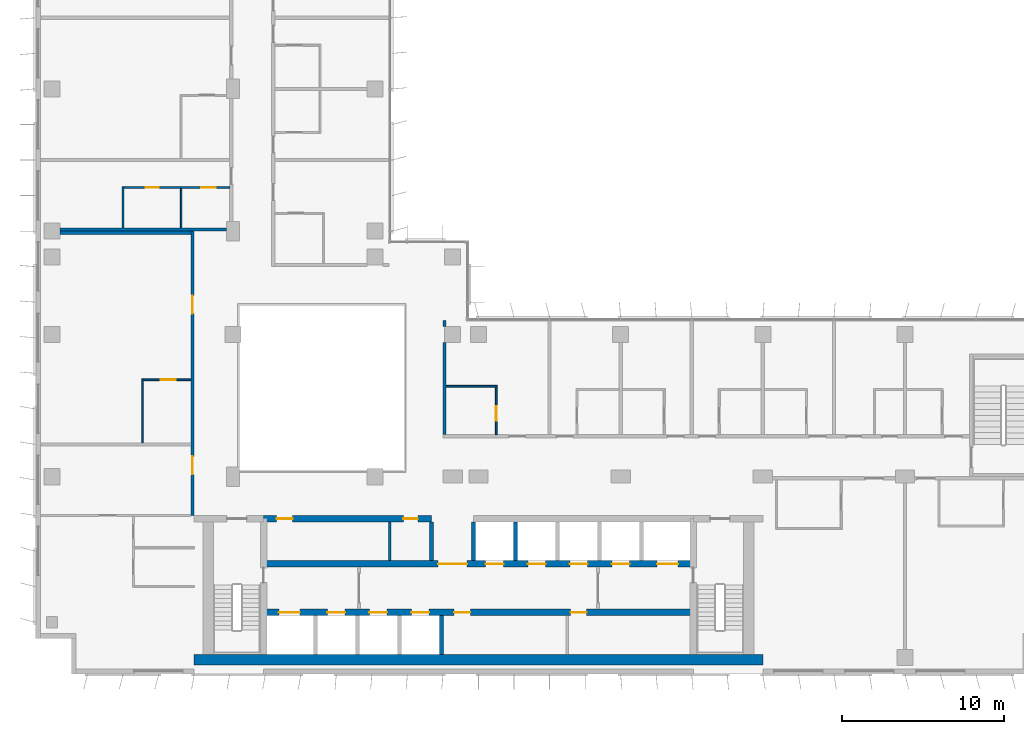
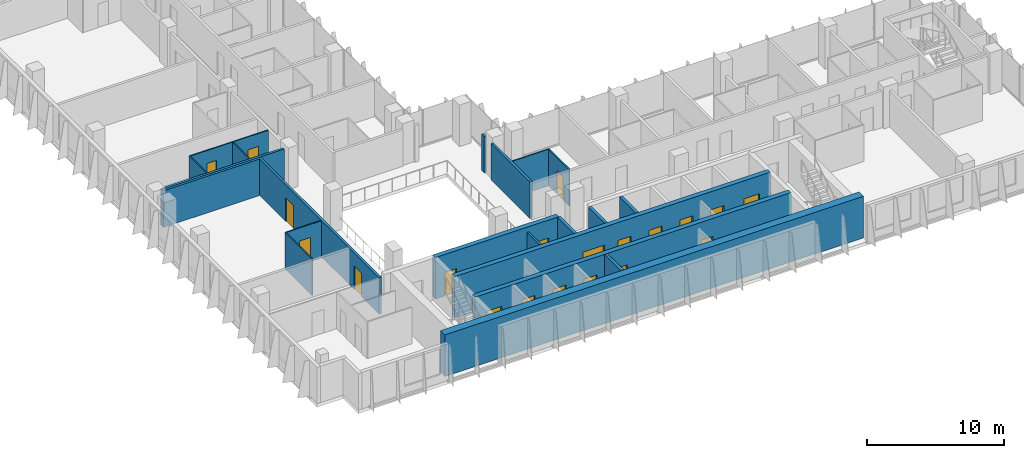
# One storey, part 13 of 21: 21 walls, 20 doors, 20 openings.
"""IFC4 building model written with IfcOpenShell, lengths in metres."""

from ifc_helpers import new_model, si_unit, direction, frame, frame_2d, origin, place, context, subcontext, project, spatial, rectangle, extrude, material, layer, layer_set, type_object, element, fill, save


model = new_model("IFC4")

# Units and contexts
model_context = context("Model", 3, precision=1e-05, world=origin(), true_north=direction((0.0, 1.0)))
body_context = subcontext(model_context, "Body", "Model", "MODEL_VIEW")
ifc_project = project(units=[si_unit("LENGTHUNIT", "METRE"), si_unit("AREAUNIT", "SQUARE_METRE"), si_unit("VOLUMEUNIT", "CUBIC_METRE"), si_unit("PLANEANGLEUNIT", "RADIAN"), si_unit("MASSUNIT", "GRAM", prefix="KILO")], contexts=[model_context])

# Site, building, storey
site_placement = place(None, origin())
site = spatial("IfcSite", under=ifc_project, at=site_placement, CompositionType="ELEMENT")
building_placement = place(site_placement, origin())
building = spatial("IfcBuilding", under=site, at=building_placement, Name="Kemantara Hotel Tower", CompositionType="ELEMENT")
storey_placement = place(building_placement, frame((0.0, 0.0, 219.10009765625)))
storey = spatial("IfcBuildingStorey", under=building, at=storey_placement, Name="L54", CompositionType="ELEMENT", Elevation=219.10009765625)

# Walls
ifc_material_1 = material(Name="Concrete fc 60 MPa", Category="concrete")
ifc_layer_1 = layer(ifc_material_1, 0.25)
ifc_layer_set_1 = layer_set([ifc_layer_1], Name="Concrete fc 60 MPa")
wall_type_1 = type_object("IfcWallType", Name="CORE WALL 250 FC60", PredefinedType="SHEAR", material=ifc_layer_set_1)
wall_1_placement = place(storey_placement, frame((25.10009765625, 1.199951171875, 0.0), z_axis=(0.0, 0.0, 1.0), x_axis=(0.0, 1.0, 0.0)))
element("IfcWall", 1, at=wall_1_placement, inside=storey, type_object=wall_type_1, Name="CORE WALL CW-DS25.1", PredefinedType="SHEAR", context=body_context, shape_type="SweptSolid", body=[
    extrude(rectangle(XDim=2.400146484375, YDim=0.25, at=frame_2d((1.2001953125, 0.0))), origin(), (0.0, 0.0, 1.0), 3.699951171875),
])
for number, where, z_axis, x_axis, name in (
    (2, (24.5, 7.0, 0.0), (0.0, 0.0, 1.0), (0.0, 1.0, 0.0), "CORE WALL CW-DN24.5"),
    (3, (27.10009765625, 7.0, 0.0), (0.0, 0.0, 1.0), (0.0, 1.0, 0.0), "CORE WALL CW-DN27.1"),
    (4, (29.699951171875, 7.0, 0.0), (0.0, 0.0, 1.0), (0.0, 1.0, 0.0), "CORE WALL CW-DN29.7"),
):
    element("IfcWall", number, at=place(storey_placement, frame(where, z_axis=z_axis, x_axis=x_axis)), inside=storey, type_object=wall_type_1, Name=name, PredefinedType="SHEAR", context=body_context, shape_type="SweptSolid", body=[
        extrude(rectangle(XDim=2.39990234375, YDim=0.25, at=frame_2d((1.199951171875, 0.0))), origin(), (0.0, 0.0, 1.0), 3.699951171875),
    ])

# Wall, openings, doors
ifc_layer_2 = layer(ifc_material_1, 0.39990234375)
ifc_layer_set_2 = layer_set([ifc_layer_2], Name="Concrete fc 60 MPa")
wall_type_2 = type_object("IfcWallType", Name="CORE WALL 400 FC60", PredefinedType="SHEAR", material=ifc_layer_set_2)
wall_2_placement = place(storey_placement, frame((14.10009765625, 9.60009765625, 0.0), z_axis=(0.0, 0.0, 1.0), x_axis=(1.0, 0.0, 0.0)))
wall_2 = element("IfcWall", 5, at=wall_2_placement, inside=storey, type_object=wall_type_2, Name="CORE WALL CW-NN1", PredefinedType="SHEAR", context=body_context, shape_type="SweptSolid", body=[
    extrude(rectangle(XDim=10.39990234375, YDim=0.39990234375, at=frame_2d((5.199951171875, 0.0))), origin(), (0.0, 0.0, 1.0), 3.699951171875),
])
opening_1_placement = place(wall_2_placement, frame((0.800048828125, 0.0, 0.0)))
opening_1 = element("IfcOpeningElement", 6, at=opening_1_placement, cuts=wall_2, Name="Opening C33-R-NW1", PredefinedType="OPENING", context=body_context, shape_type="SweptSolid", body=[
    extrude(rectangle(XDim=1.0, YDim=2.10009765625, at=frame_2d((0.5, 1.050048828125))), frame((0.0, 0.2099609375, 0.0), z_axis=(0.0, -1.0, 0.0), x_axis=(1.0, 0.0, 0.0)), (0.0, 0.0, 1.0), 0.419921875),
])
opening_2_placement = place(wall_2_placement, frame((8.64990234375, 0.0, 0.0)))
opening_2 = element("IfcOpeningElement", 7, at=opening_2_placement, cuts=wall_2, Name="Opening C33-R-NW2", PredefinedType="OPENING", context=body_context, shape_type="SweptSolid", body=[
    extrude(rectangle(XDim=0.89990234375, YDim=2.10009765625, at=frame_2d((0.449951171875, 1.050048828125))), frame((0.0, 0.2099609375, 0.0), z_axis=(0.0, -1.0, 0.0), x_axis=(1.0, 0.0, 0.0)), (0.0, 0.0, 1.0), 0.419921875),
])
ifc_material_2 = material(Name="Steel fire door", Category="steel")
door_type_1 = type_object("IfcDoorType", Name="Fire door FD30S 1000 x 2100", OperationType="NOTDEFINED", PredefinedType="DOOR", material=ifc_material_2)
door_1_placement = place(opening_1_placement, frame((1.0, 0.0, 0.0), z_axis=(0.0, 0.0, 1.0), x_axis=(-1.0, 0.0, 0.0)))
door_1 = element("IfcDoor", 8, at=door_1_placement, inside=storey, type_object=door_type_1, Name="Housekeeping Store door", OperationType="SINGLE_SWING_RIGHT", OverallHeight=2.10009765625, OverallWidth=1.0, PredefinedType="DOOR", context=body_context, shape_type="SweptSolid", body=[
    extrude(rectangle(XDim=1.0, YDim=2.10009765625, at=frame_2d((0.5, 1.050048828125))), frame((0.0, 0.02490234375, 0.0), z_axis=(0.0, -1.0, 0.0), x_axis=(1.0, 0.0, 0.0)), (0.0, 0.0, 1.0), 0.050048828125),
])
fill(opening_1, door_1)
door_type_2 = type_object("IfcDoorType", Name="Fire door FD60 900 x 2100", OperationType="NOTDEFINED", PredefinedType="DOOR", material=ifc_material_2)
door_2_placement = place(opening_2_placement, frame((0.89990234375, 0.0, 0.0), z_axis=(0.0, 0.0, 1.0), x_axis=(-1.0, 0.0, 0.0)))
door_2 = element("IfcDoor", 9, at=door_2_placement, inside=storey, type_object=door_type_2, Name="It Equipment Room door", OperationType="SINGLE_SWING_LEFT", OverallHeight=2.10009765625, OverallWidth=0.89990234375, PredefinedType="DOOR", context=body_context, shape_type="SweptSolid", body=[
    extrude(rectangle(XDim=0.89990234375, YDim=2.10009765625, at=frame_2d((0.449951171875, 1.050048828125))), frame((0.0, 0.02490234375, 0.0), z_axis=(0.0, -1.0, 0.0), x_axis=(1.0, 0.0, 0.0)), (0.0, 0.0, 1.0), 0.050048828125),
])
fill(opening_2, door_2)

wall_3_placement = place(storey_placement, frame((14.10009765625, 3.800048828125, 0.0), z_axis=(0.0, 0.0, 1.0), x_axis=(1.0, 0.0, 0.0)))
wall_3 = element("IfcWall", 10, at=wall_3_placement, inside=storey, type_object=wall_type_2, Name="CORE WALL CW-L1", PredefinedType="SHEAR", context=body_context, shape_type="SweptSolid", body=[
    extrude(rectangle(XDim=26.599853515625, YDim=0.39990234375, at=frame_2d((13.2998046875, 0.0))), origin(), (0.0, 0.0, 1.0), 3.699951171875),
])
opening_3_placement = place(wall_3_placement, frame((0.949951171875, 0.0, 0.0)))
opening_3 = element("IfcOpeningElement", 11, at=opening_3_placement, cuts=wall_3, Name="Opening C33-LD-FF1", PredefinedType="OPENING", context=body_context, shape_type="SweptSolid", body=[
    extrude(rectangle(XDim=1.300048828125, YDim=2.10009765625, at=frame_2d((0.64990234375, 1.050048828125))), frame((0.0, 0.2099609375, 0.0), z_axis=(0.0, -1.0, 0.0), x_axis=(1.0, 0.0, 0.0)), (0.0, 0.0, 1.0), 0.419921875),
])
opening_4_placement = place(wall_3_placement, frame((3.949951171875, 0.0, 0.0)))
opening_4 = element("IfcOpeningElement", 12, at=opening_4_placement, cuts=wall_3, Name="Opening C33-LD-SV1", PredefinedType="OPENING", context=body_context, shape_type="SweptSolid", body=[
    extrude(rectangle(XDim=1.10009765625, YDim=2.10009765625, at=frame_2d((0.550048828125, 1.050048828125))), frame((0.0, 0.2099609375, 0.0), z_axis=(0.0, -1.0, 0.0), x_axis=(1.0, 0.0, 0.0)), (0.0, 0.0, 1.0), 0.419921875),
])
opening_5_placement = place(wall_3_placement, frame((6.550048828125, 0.0, 0.0)))
opening_5 = element("IfcOpeningElement", 13, at=opening_5_placement, cuts=wall_3, Name="Opening C33-LD-SV2", PredefinedType="OPENING", context=body_context, shape_type="SweptSolid", body=[
    extrude(rectangle(XDim=1.10009765625, YDim=2.10009765625, at=frame_2d((0.550048828125, 1.050048828125))), frame((0.0, 0.2099609375, 0.0), z_axis=(0.0, -1.0, 0.0), x_axis=(1.0, 0.0, 0.0)), (0.0, 0.0, 1.0), 0.419921875),
])
opening_6_placement = place(wall_3_placement, frame((9.14990234375, 0.0, 0.0)))
opening_6 = element("IfcOpeningElement", 14, at=opening_6_placement, cuts=wall_3, Name="Opening C33-LD-SV3", PredefinedType="OPENING", context=body_context, shape_type="SweptSolid", body=[
    extrude(rectangle(XDim=1.10009765625, YDim=2.10009765625, at=frame_2d((0.550048828125, 1.050048828125))), frame((0.0, 0.2099609375, 0.0), z_axis=(0.0, -1.0, 0.0), x_axis=(1.0, 0.0, 0.0)), (0.0, 0.0, 1.0), 0.419921875),
])
opening_7_placement = place(wall_3_placement, frame((11.800048828125, 0.0, 0.0)))
opening_7 = element("IfcOpeningElement", 15, at=opening_7_placement, cuts=wall_3, Name="Opening C33-R-SM1", PredefinedType="OPENING", context=body_context, shape_type="SweptSolid", body=[
    extrude(rectangle(XDim=1.0, YDim=2.10009765625, at=frame_2d((0.5, 1.050048828125))), frame((0.0, 0.2099609375, 0.0), z_axis=(0.0, -1.0, 0.0), x_axis=(1.0, 0.0, 0.0)), (0.0, 0.0, 1.0), 0.419921875),
])
opening_8_placement = place(wall_3_placement, frame((19.0, 0.0, 0.0)))
opening_8 = element("IfcOpeningElement", 16, at=opening_8_placement, cuts=wall_3, Name="Opening C33-R-SM2", PredefinedType="OPENING", context=body_context, shape_type="SweptSolid", body=[
    extrude(rectangle(XDim=1.0, YDim=2.10009765625, at=frame_2d((0.5, 1.050048828125))), frame((0.0, 0.2099609375, 0.0), z_axis=(0.0, -1.0, 0.0), x_axis=(1.0, 0.0, 0.0)), (0.0, 0.0, 1.0), 0.419921875),
])
door_3_placement = place(opening_7_placement, frame((1.0, 0.0, 0.0), z_axis=(0.0, 0.0, 1.0), x_axis=(-1.0, 0.0, 0.0)))
door_3 = element("IfcDoor", 17, at=door_3_placement, inside=storey, type_object=door_type_1, Name="Luggage Store door", OperationType="SINGLE_SWING_RIGHT", OverallHeight=2.10009765625, OverallWidth=1.0, PredefinedType="DOOR", context=body_context, shape_type="SweptSolid", body=[
    extrude(rectangle(XDim=1.0, YDim=2.10009765625, at=frame_2d((0.5, 1.050048828125))), frame((0.0, 0.02490234375, 0.0), z_axis=(0.0, -1.0, 0.0), x_axis=(1.0, 0.0, 0.0)), (0.0, 0.0, 1.0), 0.050048828125),
])
fill(opening_7, door_3)
door_4_placement = place(opening_8_placement, frame((1.0, 0.0, 0.0), z_axis=(0.0, 0.0, 1.0), x_axis=(-1.0, 0.0, 0.0)))
door_4 = element("IfcDoor", 18, at=door_4_placement, inside=storey, type_object=door_type_1, Name="Guest Pantry door", OperationType="SINGLE_SWING_LEFT", OverallHeight=2.10009765625, OverallWidth=1.0, PredefinedType="DOOR", context=body_context, shape_type="SweptSolid", body=[
    extrude(rectangle(XDim=1.0, YDim=2.10009765625, at=frame_2d((0.5, 1.050048828125))), frame((0.0, 0.02490234375, 0.0), z_axis=(0.0, -1.0, 0.0), x_axis=(1.0, 0.0, 0.0)), (0.0, 0.0, 1.0), 0.050048828125),
])
fill(opening_8, door_4)
ifc_material_3 = material(Name="Stainless steel lift door", Category="steel")
door_type_3 = type_object("IfcDoorType", Name="Lift landing door 1100 x 2100 FD60", OperationType="DOUBLE_DOOR_SLIDING", PredefinedType="DOOR", material=ifc_material_3)
door_5_placement = place(opening_4_placement, origin())
door_5 = element("IfcDoor", 19, at=door_5_placement, inside=storey, type_object=door_type_3, Name="Lift SV1 landing door", OperationType="DOUBLE_DOOR_SLIDING", OverallHeight=2.10009765625, OverallWidth=1.10009765625, PredefinedType="DOOR", context=body_context, shape_type="SweptSolid", body=[
    extrude(rectangle(XDim=1.10009765625, YDim=2.10009765625, at=frame_2d((0.550048828125, 1.050048828125))), frame((0.0, 0.02490234375, 0.0), z_axis=(0.0, -1.0, 0.0), x_axis=(1.0, 0.0, 0.0)), (0.0, 0.0, 1.0), 0.050048828125),
])
fill(opening_4, door_5)
door_6_placement = place(opening_5_placement, origin())
door_6 = element("IfcDoor", 20, at=door_6_placement, inside=storey, type_object=door_type_3, Name="Lift SV2 landing door", OperationType="DOUBLE_DOOR_SLIDING", OverallHeight=2.10009765625, OverallWidth=1.10009765625, PredefinedType="DOOR", context=body_context, shape_type="SweptSolid", body=[
    extrude(rectangle(XDim=1.10009765625, YDim=2.10009765625, at=frame_2d((0.550048828125, 1.050048828125))), frame((0.0, 0.02490234375, 0.0), z_axis=(0.0, -1.0, 0.0), x_axis=(1.0, 0.0, 0.0)), (0.0, 0.0, 1.0), 0.050048828125),
])
fill(opening_5, door_6)
door_7_placement = place(opening_6_placement, origin())
door_7 = element("IfcDoor", 21, at=door_7_placement, inside=storey, type_object=door_type_3, Name="Lift SV3 landing door", OperationType="DOUBLE_DOOR_SLIDING", OverallHeight=2.10009765625, OverallWidth=1.10009765625, PredefinedType="DOOR", context=body_context, shape_type="SweptSolid", body=[
    extrude(rectangle(XDim=1.10009765625, YDim=2.10009765625, at=frame_2d((0.550048828125, 1.050048828125))), frame((0.0, 0.02490234375, 0.0), z_axis=(0.0, -1.0, 0.0), x_axis=(1.0, 0.0, 0.0)), (0.0, 0.0, 1.0), 0.050048828125),
])
fill(opening_6, door_7)
door_type_4 = type_object("IfcDoorType", Name="Lift landing door 1300 x 2100 FD90", OperationType="DOUBLE_DOOR_SLIDING", PredefinedType="DOOR", material=ifc_material_3)
door_8_placement = place(opening_3_placement, origin())
door_8 = element("IfcDoor", 22, at=door_8_placement, inside=storey, type_object=door_type_4, Name="Lift FF1 landing door", OperationType="DOUBLE_DOOR_SLIDING", OverallHeight=2.10009765625, OverallWidth=1.300048828125, PredefinedType="DOOR", context=body_context, shape_type="SweptSolid", body=[
    extrude(rectangle(XDim=1.300048828125, YDim=2.10009765625, at=frame_2d((0.64990234375, 1.050048828125))), frame((0.0, 0.02490234375, 0.0), z_axis=(0.0, -1.0, 0.0), x_axis=(1.0, 0.0, 0.0)), (0.0, 0.0, 1.0), 0.050048828125),
])
fill(opening_3, door_8)

wall_4_placement = place(storey_placement, frame((14.10009765625, 6.800048828125, 0.0), z_axis=(0.0, 0.0, 1.0), x_axis=(1.0, 0.0, 0.0)))
wall_4 = element("IfcWall", 23, at=wall_4_placement, inside=storey, type_object=wall_type_2, Name="CORE WALL CW-L2", PredefinedType="SHEAR", context=body_context, shape_type="SweptSolid", body=[
    extrude(rectangle(XDim=26.599853515625, YDim=0.39990234375, at=frame_2d((13.2998046875, 0.0))), origin(), (0.0, 0.0, 1.0), 3.699951171875),
])
opening_9_placement = place(wall_4_placement, frame((10.800048828125, 0.0, 0.0)))
opening_9 = element("IfcOpeningElement", 24, at=opening_9_placement, cuts=wall_4, Name="Opening C33-VL", PredefinedType="OPENING", context=body_context, shape_type="SweptSolid", body=[
    extrude(rectangle(XDim=1.800048828125, YDim=2.10009765625, at=frame_2d((0.89990234375, 1.050048828125))), frame((0.0, 0.2099609375, 0.0), z_axis=(0.0, -1.0, 0.0), x_axis=(1.0, 0.0, 0.0)), (0.0, 0.0, 1.0), 0.419921875),
])
opening_10_placement = place(wall_4_placement, frame((13.75, 0.0, 0.0)))
opening_10 = element("IfcOpeningElement", 25, at=opening_10_placement, cuts=wall_4, Name="Opening C33-LD-HR1", PredefinedType="OPENING", context=body_context, shape_type="SweptSolid", body=[
    extrude(rectangle(XDim=1.10009765625, YDim=2.10009765625, at=frame_2d((0.550048828125, 1.050048828125))), frame((0.0, 0.2099609375, 0.0), z_axis=(0.0, -1.0, 0.0), x_axis=(1.0, 0.0, 0.0)), (0.0, 0.0, 1.0), 0.419921875),
])
opening_11_placement = place(wall_4_placement, frame((16.35009765625, 0.0, 0.0)))
opening_11 = element("IfcOpeningElement", 26, at=opening_11_placement, cuts=wall_4, Name="Opening C33-LD-HR2", PredefinedType="OPENING", context=body_context, shape_type="SweptSolid", body=[
    extrude(rectangle(XDim=1.10009765625, YDim=2.10009765625, at=frame_2d((0.550048828125, 1.050048828125))), frame((0.0, 0.2099609375, 0.0), z_axis=(0.0, -1.0, 0.0), x_axis=(1.0, 0.0, 0.0)), (0.0, 0.0, 1.0), 0.419921875),
])
opening_12_placement = place(wall_4_placement, frame((18.949951171875, 0.0, 0.0)))
opening_12 = element("IfcOpeningElement", 27, at=opening_12_placement, cuts=wall_4, Name="Opening C33-LD-HR3", PredefinedType="OPENING", context=body_context, shape_type="SweptSolid", body=[
    extrude(rectangle(XDim=1.10009765625, YDim=2.10009765625, at=frame_2d((0.550048828125, 1.050048828125))), frame((0.0, 0.2099609375, 0.0), z_axis=(0.0, -1.0, 0.0), x_axis=(1.0, 0.0, 0.0)), (0.0, 0.0, 1.0), 0.419921875),
])
opening_13_placement = place(wall_4_placement, frame((21.550048828125, 0.0, 0.0)))
opening_13 = element("IfcOpeningElement", 28, at=opening_13_placement, cuts=wall_4, Name="Opening C33-LD-HR4", PredefinedType="OPENING", context=body_context, shape_type="SweptSolid", body=[
    extrude(rectangle(XDim=1.10009765625, YDim=2.10009765625, at=frame_2d((0.550048828125, 1.050048828125))), frame((0.0, 0.2099609375, 0.0), z_axis=(0.0, -1.0, 0.0), x_axis=(1.0, 0.0, 0.0)), (0.0, 0.0, 1.0), 0.419921875),
])
opening_14_placement = place(wall_4_placement, frame((24.35009765625, 0.0, 0.0)))
opening_14 = element("IfcOpeningElement", 29, at=opening_14_placement, cuts=wall_4, Name="Opening C33-LD-FF2", PredefinedType="OPENING", context=body_context, shape_type="SweptSolid", body=[
    extrude(rectangle(XDim=1.300048828125, YDim=2.10009765625, at=frame_2d((0.64990234375, 1.050048828125))), frame((0.0, 0.2099609375, 0.0), z_axis=(0.0, -1.0, 0.0), x_axis=(1.0, 0.0, 0.0)), (0.0, 0.0, 1.0), 0.419921875),
])
door_type_5 = type_object("IfcDoorType", Name="Fire door pair FD60 1800 x 2100", OperationType="DOUBLE_DOOR_SINGLE_SWING", PredefinedType="DOOR", material=ifc_material_2)
door_9_placement = place(opening_9_placement, frame((1.800048828125, 0.0, 0.0), z_axis=(0.0, 0.0, 1.0), x_axis=(-1.0, 0.0, 0.0)))
door_9 = element("IfcDoor", 30, at=door_9_placement, inside=storey, type_object=door_type_5, Name="Lift lobby entry door", OperationType="DOUBLE_DOOR_SINGLE_SWING", OverallHeight=2.10009765625, OverallWidth=1.800048828125, PredefinedType="DOOR", context=body_context, shape_type="SweptSolid", body=[
    extrude(rectangle(XDim=1.800048828125, YDim=2.10009765625, at=frame_2d((0.89990234375, 1.050048828125))), frame((0.0, 0.02490234375, 0.0), z_axis=(0.0, -1.0, 0.0), x_axis=(1.0, 0.0, 0.0)), (0.0, 0.0, 1.0), 0.050048828125),
])
fill(opening_9, door_9)
door_10_placement = place(opening_10_placement, origin())
door_10 = element("IfcDoor", 31, at=door_10_placement, inside=storey, type_object=door_type_3, Name="Lift HR1 landing door", OperationType="DOUBLE_DOOR_SLIDING", OverallHeight=2.10009765625, OverallWidth=1.10009765625, PredefinedType="DOOR", context=body_context, shape_type="SweptSolid", body=[
    extrude(rectangle(XDim=1.10009765625, YDim=2.10009765625, at=frame_2d((0.550048828125, 1.050048828125))), frame((0.0, 0.02490234375, 0.0), z_axis=(0.0, -1.0, 0.0), x_axis=(1.0, 0.0, 0.0)), (0.0, 0.0, 1.0), 0.050048828125),
])
fill(opening_10, door_10)
door_11_placement = place(opening_11_placement, origin())
door_11 = element("IfcDoor", 32, at=door_11_placement, inside=storey, type_object=door_type_3, Name="Lift HR2 landing door", OperationType="DOUBLE_DOOR_SLIDING", OverallHeight=2.10009765625, OverallWidth=1.10009765625, PredefinedType="DOOR", context=body_context, shape_type="SweptSolid", body=[
    extrude(rectangle(XDim=1.10009765625, YDim=2.10009765625, at=frame_2d((0.550048828125, 1.050048828125))), frame((0.0, 0.02490234375, 0.0), z_axis=(0.0, -1.0, 0.0), x_axis=(1.0, 0.0, 0.0)), (0.0, 0.0, 1.0), 0.050048828125),
])
fill(opening_11, door_11)
door_12_placement = place(opening_12_placement, origin())
door_12 = element("IfcDoor", 33, at=door_12_placement, inside=storey, type_object=door_type_3, Name="Lift HR3 landing door", OperationType="DOUBLE_DOOR_SLIDING", OverallHeight=2.10009765625, OverallWidth=1.10009765625, PredefinedType="DOOR", context=body_context, shape_type="SweptSolid", body=[
    extrude(rectangle(XDim=1.10009765625, YDim=2.10009765625, at=frame_2d((0.550048828125, 1.050048828125))), frame((0.0, 0.02490234375, 0.0), z_axis=(0.0, -1.0, 0.0), x_axis=(1.0, 0.0, 0.0)), (0.0, 0.0, 1.0), 0.050048828125),
])
fill(opening_12, door_12)
door_13_placement = place(opening_13_placement, origin())
door_13 = element("IfcDoor", 34, at=door_13_placement, inside=storey, type_object=door_type_3, Name="Lift HR4 landing door", OperationType="DOUBLE_DOOR_SLIDING", OverallHeight=2.10009765625, OverallWidth=1.10009765625, PredefinedType="DOOR", context=body_context, shape_type="SweptSolid", body=[
    extrude(rectangle(XDim=1.10009765625, YDim=2.10009765625, at=frame_2d((0.550048828125, 1.050048828125))), frame((0.0, 0.02490234375, 0.0), z_axis=(0.0, -1.0, 0.0), x_axis=(1.0, 0.0, 0.0)), (0.0, 0.0, 1.0), 0.050048828125),
])
fill(opening_13, door_13)
door_14_placement = place(opening_14_placement, origin())
door_14 = element("IfcDoor", 35, at=door_14_placement, inside=storey, type_object=door_type_4, Name="Lift FF2 landing door", OperationType="DOUBLE_DOOR_SLIDING", OverallHeight=2.10009765625, OverallWidth=1.300048828125, PredefinedType="DOOR", context=body_context, shape_type="SweptSolid", body=[
    extrude(rectangle(XDim=1.300048828125, YDim=2.10009765625, at=frame_2d((0.64990234375, 1.050048828125))), frame((0.0, 0.02490234375, 0.0), z_axis=(0.0, -1.0, 0.0), x_axis=(1.0, 0.0, 0.0)), (0.0, 0.0, 1.0), 0.050048828125),
])
fill(opening_14, door_14)

# Wall
ifc_layer_3 = layer(ifc_material_1, 0.64990234375)
ifc_layer_set_3 = layer_set([ifc_layer_3], Name="Concrete fc 60 MPa")
wall_type_3 = type_object("IfcWallType", Name="CORE WALL 650 FC60", PredefinedType="SHEAR", material=ifc_layer_set_3)
wall_5_placement = place(storey_placement, frame((9.800048828125, 0.875, 0.0), z_axis=(0.0, 0.0, 1.0), x_axis=(1.0, 0.0, 0.0)))
element("IfcWall", 36, at=wall_5_placement, inside=storey, type_object=wall_type_3, Name="CORE WALL CW-S", PredefinedType="SHEAR", context=body_context, shape_type="SweptSolid", body=[
    extrude(rectangle(XDim=35.199951171875, YDim=0.64990234375, at=frame_2d((17.60009765625, 0.0))), origin(), (0.0, 0.0, 1.0), 3.699951171875),
])

# Wall, openings, doors
ifc_material_4 = material(Name="Gypsum board partition, steel studs and mineral wool, 200 mm", Category="steel")
ifc_layer_4 = layer(ifc_material_4, 0.199951171875)
ifc_layer_set_4 = layer_set([ifc_layer_4], Name="Gypsum board partition, steel studs and mineral wool, 200 mm")
wall_type_4 = type_object("IfcWallType", Name="CORRIDOR WALL 200", PredefinedType="PARTITIONING", material=ifc_layer_set_4)
wall_6_placement = place(storey_placement, frame((9.699951171875, 9.800048828125, 0.0), z_axis=(0.0, 0.0, 1.0), x_axis=(0.0, 1.0, 0.0)))
wall_6 = element("IfcWall", 37, at=wall_6_placement, inside=storey, type_object=wall_type_4, Name="CORRIDOR WALL 200 014", PredefinedType="PARTITIONING", context=body_context, shape_type="SweptSolid", body=[
    extrude(rectangle(XDim=17.599853515625, YDim=0.199951171875, at=frame_2d((8.7998046875, 0.0))), origin(), (0.0, 0.0, 1.0), 3.25),
])
opening_15_placement = place(wall_6_placement, frame((2.550048828125, 0.0, 0.0)))
opening_15 = element("IfcOpeningElement", 38, at=opening_15_placement, cuts=wall_6, Name="Opening F26-019", PredefinedType="OPENING", context=body_context, shape_type="SweptSolid", body=[
    extrude(rectangle(XDim=1.10009765625, YDim=2.10009765625, at=frame_2d((0.550048828125, 1.050048828125))), frame((0.0, 0.10986328125, 0.0), z_axis=(0.0, -1.0, 0.0), x_axis=(1.0, 0.0, 0.0)), (0.0, 0.0, 1.0), 0.219970703125),
])
opening_16_placement = place(wall_6_placement, frame((12.5, 0.0, 0.0)))
opening_16 = element("IfcOpeningElement", 39, at=opening_16_placement, cuts=wall_6, Name="Opening F26-023", PredefinedType="OPENING", context=body_context, shape_type="SweptSolid", body=[
    extrude(rectangle(XDim=1.10009765625, YDim=2.10009765625, at=frame_2d((0.550048828125, 1.050048828125))), frame((0.0, 0.10986328125, 0.0), z_axis=(0.0, -1.0, 0.0), x_axis=(1.0, 0.0, 0.0)), (0.0, 0.0, 1.0), 0.219970703125),
])
ifc_material_5 = material(Name="Hardwood veneer door leaf with steel frame", Category="steel")
door_type_6 = type_object("IfcDoorType", Name="SUITE ENTRANCE DOOR 1100 X 2100 FD30S", OperationType="NOTDEFINED", PredefinedType="DOOR", material=ifc_material_5)
door_15_placement = place(opening_15_placement, origin())
door_15 = element("IfcDoor", 40, at=door_15_placement, inside=storey, type_object=door_type_6, Name="SUITE ENTRANCE DOOR F26-019", OperationType="SINGLE_SWING_RIGHT", OverallHeight=2.10009765625, OverallWidth=1.10009765625, PredefinedType="DOOR", context=body_context, shape_type="SweptSolid", body=[
    extrude(rectangle(XDim=1.10009765625, YDim=2.10009765625, at=frame_2d((0.550048828125, 1.050048828125))), frame((0.0, 0.02490234375, 0.0), z_axis=(0.0, -1.0, 0.0), x_axis=(1.0, 0.0, 0.0)), (0.0, 0.0, 1.0), 0.050048828125),
])
fill(opening_15, door_15)
door_16_placement = place(opening_16_placement, origin())
door_16 = element("IfcDoor", 41, at=door_16_placement, inside=storey, type_object=door_type_6, Name="SUITE ENTRANCE DOOR F26-023", OperationType="SINGLE_SWING_RIGHT", OverallHeight=2.10009765625, OverallWidth=1.10009765625, PredefinedType="DOOR", context=body_context, shape_type="SweptSolid", body=[
    extrude(rectangle(XDim=1.10009765625, YDim=2.10009765625, at=frame_2d((0.550048828125, 1.050048828125))), frame((0.0, 0.02490234375, 0.0), z_axis=(0.0, -1.0, 0.0), x_axis=(1.0, 0.0, 0.0)), (0.0, 0.0, 1.0), 0.050048828125),
])
fill(opening_16, door_16)

# Walls
ifc_layer_5 = layer(ifc_material_4, 0.199951171875)
ifc_layer_set_5 = layer_set([ifc_layer_5], Name="Gypsum board partition, steel studs and mineral wool, 200 mm")
wall_type_5 = type_object("IfcWallType", Name="GUEST ROOM PARTY WALL 200", PredefinedType="PARTITIONING", material=ifc_layer_set_5)
wall_7_placement = place(storey_placement, frame((25.300048828125, 14.800048828125, 0.0), z_axis=(0.0, 0.0, 1.0), x_axis=(0.0, 1.0, 0.0)))
element("IfcWall", 42, at=wall_7_placement, inside=storey, type_object=wall_type_5, Name="GUEST ROOM PARTY WALL 200 007", PredefinedType="PARTITIONING", context=body_context, shape_type="SweptSolid", body=[
    extrude(rectangle(XDim=5.699951171875, YDim=0.199951171875, at=frame_2d((2.85009765625, 0.0))), origin(), (0.0, 0.0, 1.0), 3.25),
])
wall_8_placement = place(storey_placement, frame((25.300048828125, 21.5, 0.0), z_axis=(0.0, 0.0, 1.0), x_axis=(0.0, 1.0, 0.0)))
element("IfcWall", 43, at=wall_8_placement, inside=storey, type_object=wall_type_5, Name="GUEST ROOM PARTY WALL 200 008", PredefinedType="PARTITIONING", context=body_context, shape_type="SweptSolid", body=[
    extrude(rectangle(XDim=0.3701171875, YDim=0.199951171875, at=frame_2d((0.18505859375, 0.0))), origin(), (0.0, 0.0, 1.0), 3.25),
])
wall_9_placement = place(storey_placement, frame((1.5, 27.300048828125, 0.0), z_axis=(0.0, 0.0, 1.0), x_axis=(1.0, 0.0, 0.0)))
element("IfcWall", 44, at=wall_9_placement, inside=storey, type_object=wall_type_5, Name="GUEST ROOM PARTY WALL 200 016", PredefinedType="PARTITIONING", context=body_context, shape_type="SweptSolid", body=[
    extrude(rectangle(XDim=8.10009765625, YDim=0.199951171875, at=frame_2d((4.050048828125, 0.0))), origin(), (0.0, 0.0, 1.0), 3.25),
])
wall_10_placement = place(storey_placement, frame((1.5, 27.5, 0.0), z_axis=(0.0, 0.0, 1.0), x_axis=(1.0, 0.0, 0.0)))
element("IfcWall", 45, at=wall_10_placement, inside=storey, type_object=wall_type_5, Name="GUEST ROOM PARTY WALL 200 021", PredefinedType="PARTITIONING", context=body_context, shape_type="SweptSolid", body=[
    extrude(rectangle(XDim=10.2998046875, YDim=0.199951171875, at=frame_2d((5.14990234375, 0.0))), origin(), (0.0, 0.0, 1.0), 3.25),
])
ifc_material_6 = material(Name="Gypsum board partition")
ifc_layer_6 = layer(ifc_material_6, 0.14990234375)
ifc_layer_set_6 = layer_set([ifc_layer_6], Name="Gypsum board partition")
wall_type_6 = type_object("IfcWallType", Name="Gypsum board partition 150 mm", PredefinedType="PARTITIONING", material=ifc_layer_set_6)
wall_11_placement = place(storey_placement, frame((21.89990234375, 7.0, 0.0), z_axis=(0.0, 0.0, 1.0), x_axis=(0.0, 1.0, 0.0)))
element("IfcWall", 46, at=wall_11_placement, inside=storey, type_object=wall_type_6, Name="Core room partition", PredefinedType="PARTITIONING", context=body_context, shape_type="SweptSolid", body=[
    extrude(rectangle(XDim=2.39990234375, YDim=0.14990234375, at=frame_2d((1.199951171875, 0.0))), origin(), (0.0, 0.0, 1.0), 3.25),
])
ifc_material_7 = material(Name="Gypsum board partition on steel studs, 100 mm", Category="steel")
ifc_layer_7 = layer(ifc_material_7, 0.10009765625)
ifc_layer_set_7 = layer_set([ifc_layer_7], Name="Gypsum board partition on steel studs, 100 mm")
wall_type_7 = type_object("IfcWallType", Name="ROOM PARTITION 100", PredefinedType="PARTITIONING", material=ifc_layer_set_7)
wall_12_placement = place(storey_placement, frame((25.39990234375, 17.800048828125, 0.0), z_axis=(0.0, 0.0, 1.0), x_axis=(1.0, 0.0, 0.0)))
element("IfcWall", 47, at=wall_12_placement, inside=storey, type_object=wall_type_7, Name="ROOM PARTITION 100 040", PredefinedType="PARTITIONING", context=body_context, shape_type="SweptSolid", body=[
    extrude(rectangle(XDim=3.150146484375, YDim=0.10009765625, at=frame_2d((1.5751953125, 0.0))), origin(), (0.0, 0.0, 1.0), 3.25),
])

# Wall, opening, door
wall_13_placement = place(storey_placement, frame((28.5, 14.800048828125, 0.0), z_axis=(0.0, 0.0, 1.0), x_axis=(0.0, 1.0, 0.0)))
wall_13 = element("IfcWall", 48, at=wall_13_placement, inside=storey, type_object=wall_type_7, Name="ROOM PARTITION 100 041", PredefinedType="PARTITIONING", context=body_context, shape_type="SweptSolid", body=[
    extrude(rectangle(XDim=2.949951171875, YDim=0.10009765625, at=frame_2d((1.47509765625, 0.0))), origin(), (0.0, 0.0, 1.0), 3.25),
])
opening_17_placement = place(wall_13_placement, frame((0.85009765625, 0.0, 0.0)))
opening_17 = element("IfcOpeningElement", 49, at=opening_17_placement, cuts=wall_13, Name="Opening F26-006", PredefinedType="OPENING", context=body_context, shape_type="SweptSolid", body=[
    extrude(rectangle(XDim=0.89990234375, YDim=2.10009765625, at=frame_2d((0.449951171875, 1.050048828125))), frame((0.0, 0.06005859375, 0.0), z_axis=(0.0, -1.0, 0.0), x_axis=(1.0, 0.0, 0.0)), (0.0, 0.0, 1.0), 0.1201171875),
])
door_type_7 = type_object("IfcDoorType", Name="BATHROOM DOOR 900 X 2100", OperationType="NOTDEFINED", PredefinedType="DOOR", material=ifc_material_5)
door_17_placement = place(opening_17_placement, origin())
door_17 = element("IfcDoor", 50, at=door_17_placement, inside=storey, type_object=door_type_7, Name="BATHROOM DOOR F26-006", OperationType="SINGLE_SWING_LEFT", OverallHeight=2.10009765625, OverallWidth=0.89990234375, PredefinedType="DOOR", context=body_context, shape_type="SweptSolid", body=[
    extrude(rectangle(XDim=0.89990234375, YDim=2.10009765625, at=frame_2d((0.449951171875, 1.050048828125))), frame((0.0, 0.02490234375, 0.0), z_axis=(0.0, -1.0, 0.0), x_axis=(1.0, 0.0, 0.0)), (0.0, 0.0, 1.0), 0.050048828125),
])
fill(opening_17, door_17)

# Wall
wall_14_placement = place(storey_placement, frame((6.60009765625, 14.300048828125, 0.0), z_axis=(0.0, 0.0, 1.0), x_axis=(0.0, 1.0, 0.0)))
element("IfcWall", 51, at=wall_14_placement, inside=storey, type_object=wall_type_7, Name="ROOM PARTITION 100 058", PredefinedType="PARTITIONING", context=body_context, shape_type="SweptSolid", body=[
    extrude(rectangle(XDim=3.949951171875, YDim=0.10009765625, at=frame_2d((1.97509765625, 0.0))), origin(), (0.0, 0.0, 1.0), 3.25),
])

# Wall, opening, door
wall_15_placement = place(storey_placement, frame((9.60009765625, 18.199951171875, 0.0), z_axis=(0.0, 0.0, 1.0), x_axis=(-1.0, 0.0, 0.0)))
wall_15 = element("IfcWall", 52, at=wall_15_placement, inside=storey, type_object=wall_type_7, Name="ROOM PARTITION 100 059", PredefinedType="PARTITIONING", context=body_context, shape_type="SweptSolid", body=[
    extrude(rectangle(XDim=2.9501953125, YDim=0.10009765625, at=frame_2d((1.47509765625, 0.0))), origin(), (0.0, 0.0, 1.0), 3.25),
])
opening_18_placement = place(wall_15_placement, frame((0.949951171875, 0.0, 0.0)))
opening_18 = element("IfcOpeningElement", 53, at=opening_18_placement, cuts=wall_15, Name="Opening F26-024", PredefinedType="OPENING", context=body_context, shape_type="SweptSolid", body=[
    extrude(rectangle(XDim=0.89990234375, YDim=2.10009765625, at=frame_2d((0.449951171875, 1.050048828125))), frame((0.0, 0.06005859375, 0.0), z_axis=(0.0, -1.0, 0.0), x_axis=(1.0, 0.0, 0.0)), (0.0, 0.0, 1.0), 0.1201171875),
])
door_18_placement = place(opening_18_placement, origin())
door_18 = element("IfcDoor", 54, at=door_18_placement, inside=storey, type_object=door_type_7, Name="BATHROOM DOOR F26-024", OperationType="SINGLE_SWING_LEFT", OverallHeight=2.10009765625, OverallWidth=0.89990234375, PredefinedType="DOOR", context=body_context, shape_type="SweptSolid", body=[
    extrude(rectangle(XDim=0.89990234375, YDim=2.10009765625, at=frame_2d((0.449951171875, 1.050048828125))), frame((0.0, 0.02490234375, 0.0), z_axis=(0.0, -1.0, 0.0), x_axis=(1.0, 0.0, 0.0)), (0.0, 0.0, 1.0), 0.050048828125),
])
fill(opening_18, door_18)

# Walls
wall_16_placement = place(storey_placement, frame((5.39990234375, 27.60009765625, 0.0), z_axis=(0.0, 0.0, 1.0), x_axis=(0.0, 1.0, 0.0)))
element("IfcWall", 55, at=wall_16_placement, inside=storey, type_object=wall_type_7, Name="ROOM PARTITION 100 060", PredefinedType="PARTITIONING", context=body_context, shape_type="SweptSolid", body=[
    extrude(rectangle(XDim=2.5498046875, YDim=0.10009765625, at=frame_2d((1.27490234375, 0.0))), origin(), (0.0, 0.0, 1.0), 3.25),
])
wall_17_placement = place(storey_placement, frame((9.0, 27.60009765625, 0.0), z_axis=(0.0, 0.0, 1.0), x_axis=(0.0, 1.0, 0.0)))
element("IfcWall", 56, at=wall_17_placement, inside=storey, type_object=wall_type_7, Name="ROOM PARTITION 100 061", PredefinedType="PARTITIONING", context=body_context, shape_type="SweptSolid", body=[
    extrude(rectangle(XDim=2.449951171875, YDim=0.10009765625, at=frame_2d((1.22509765625, 0.0))), origin(), (0.0, 0.0, 1.0), 3.25),
])

# Wall, openings, doors
wall_18_placement = place(storey_placement, frame((12.0, 30.10009765625, 0.0), z_axis=(0.0, 0.0, 1.0), x_axis=(-1.0, 0.0, 0.0)))
wall_18 = element("IfcWall", 57, at=wall_18_placement, inside=storey, type_object=wall_type_7, Name="ROOM PARTITION 100 063", PredefinedType="PARTITIONING", context=body_context, shape_type="SweptSolid", body=[
    extrude(rectangle(XDim=6.550048828125, YDim=0.10009765625, at=frame_2d((3.27490234375, 0.0))), origin(), (0.0, 0.0, 1.0), 3.25),
])
opening_19_placement = place(wall_18_placement, frame((0.85009765625, 0.0, 0.0)))
opening_19 = element("IfcOpeningElement", 58, at=opening_19_placement, cuts=wall_18, Name="Opening F26-026", PredefinedType="OPENING", context=body_context, shape_type="SweptSolid", body=[
    extrude(rectangle(XDim=0.89990234375, YDim=2.10009765625, at=frame_2d((0.449951171875, 1.050048828125))), frame((0.0, 0.06005859375, 0.0), z_axis=(0.0, -1.0, 0.0), x_axis=(1.0, 0.0, 0.0)), (0.0, 0.0, 1.0), 0.1201171875),
])
opening_20_placement = place(wall_18_placement, frame((4.39990234375, 0.0, 0.0)))
opening_20 = element("IfcOpeningElement", 59, at=opening_20_placement, cuts=wall_18, Name="Opening F26-027", PredefinedType="OPENING", context=body_context, shape_type="SweptSolid", body=[
    extrude(rectangle(XDim=0.800048828125, YDim=2.10009765625, at=frame_2d((0.39990234375, 1.050048828125))), frame((0.0, 0.06005859375, 0.0), z_axis=(0.0, -1.0, 0.0), x_axis=(1.0, 0.0, 0.0)), (0.0, 0.0, 1.0), 0.1201171875),
])
door_19_placement = place(opening_19_placement, origin())
door_19 = element("IfcDoor", 60, at=door_19_placement, inside=storey, type_object=door_type_7, Name="BATHROOM DOOR F26-026", OperationType="SINGLE_SWING_LEFT", OverallHeight=2.10009765625, OverallWidth=0.89990234375, PredefinedType="DOOR", context=body_context, shape_type="SweptSolid", body=[
    extrude(rectangle(XDim=0.89990234375, YDim=2.10009765625, at=frame_2d((0.449951171875, 1.050048828125))), frame((0.0, 0.02490234375, 0.0), z_axis=(0.0, -1.0, 0.0), x_axis=(1.0, 0.0, 0.0)), (0.0, 0.0, 1.0), 0.050048828125),
])
fill(opening_19, door_19)
door_type_8 = type_object("IfcDoorType", Name="INTERNAL DOOR 800 X 2100", OperationType="NOTDEFINED", PredefinedType="DOOR", material=ifc_material_5)
door_20_placement = place(opening_20_placement, origin())
door_20 = element("IfcDoor", 61, at=door_20_placement, inside=storey, type_object=door_type_8, Name="INTERNAL DOOR F26-027", OperationType="SINGLE_SWING_LEFT", OverallHeight=2.10009765625, OverallWidth=0.800048828125, PredefinedType="DOOR", context=body_context, shape_type="SweptSolid", body=[
    extrude(rectangle(XDim=0.800048828125, YDim=2.10009765625, at=frame_2d((0.39990234375, 1.050048828125))), frame((0.0, 0.02490234375, 0.0), z_axis=(0.0, -1.0, 0.0), x_axis=(1.0, 0.0, 0.0)), (0.0, 0.0, 1.0), 0.050048828125),
])
fill(opening_20, door_20)

save(model, "model.ifc")
